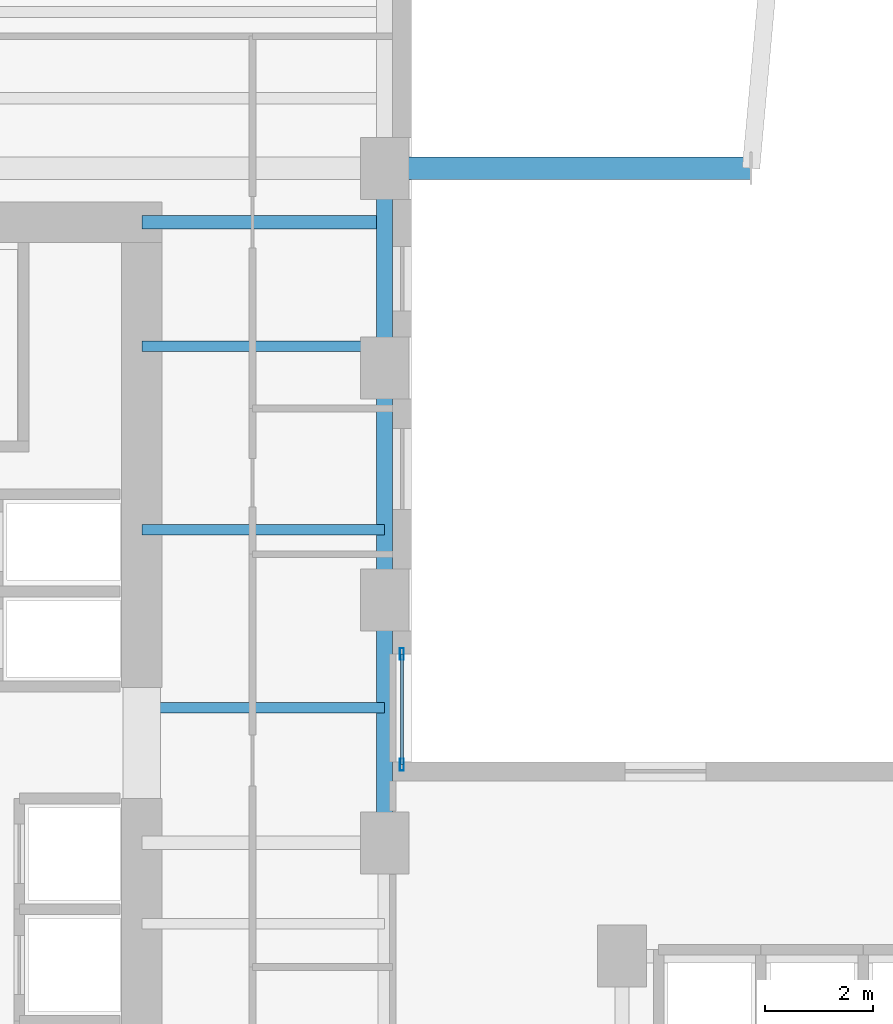
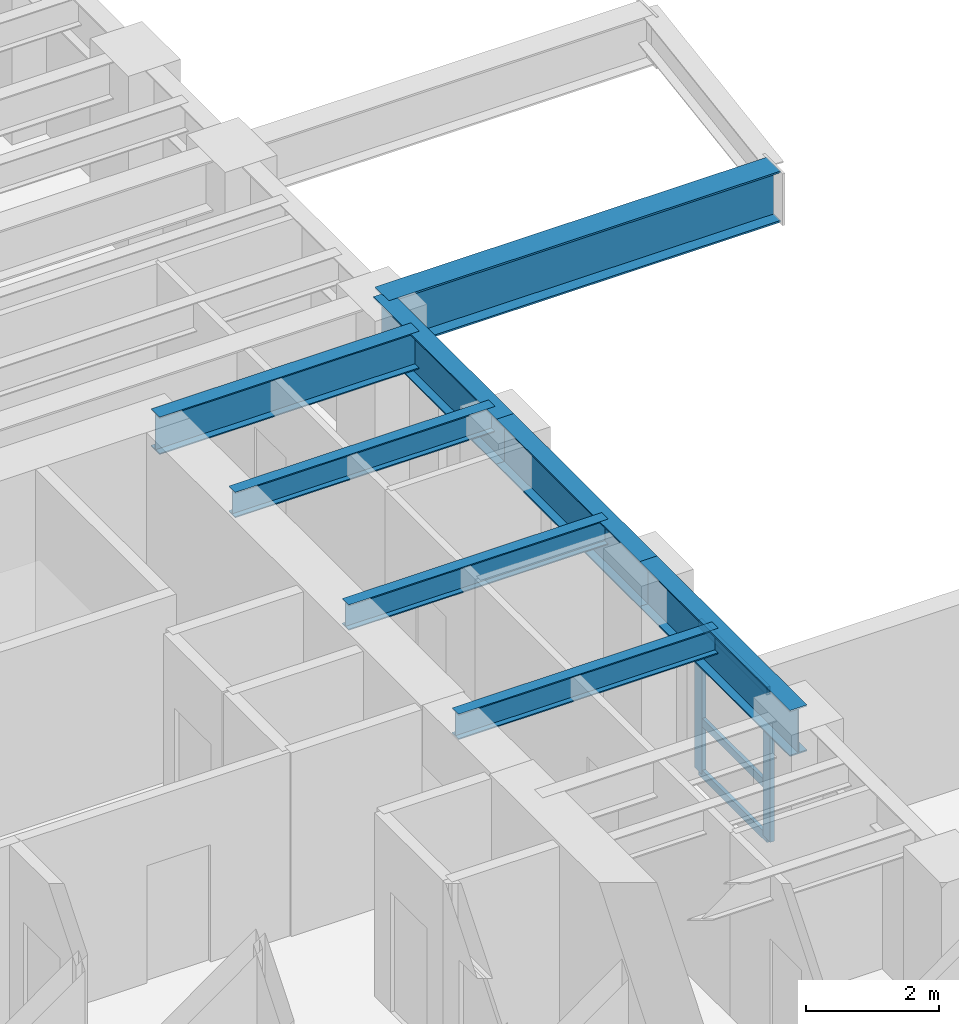
# One storey, part 2 of 14: 8 beams, 5 members, 1 element without a shape of its own.
"""IFC4 building model written with IfcOpenShell, lengths in metres."""

from ifc_helpers import new_model, si_unit, direction, frame, origin, origin_2d, place, context, subcontext, project, spatial, hollow_rectangle, i_section, extrude, source, transform, mapped, material, layer, layer_set, material_profile, profile_set, type_object, element, aggregate, save


model = new_model("IFC4")

# Units and contexts
model_context = context("Model", 3, precision=1e-05, world=origin(), true_north=direction((0.0, 1.0)))
body_context = subcontext(model_context, "Body", "Model", "MODEL_VIEW")
ifc_project = project(units=[si_unit("LENGTHUNIT", "METRE"), si_unit("AREAUNIT", "SQUARE_METRE"), si_unit("VOLUMEUNIT", "CUBIC_METRE"), si_unit("PLANEANGLEUNIT", "RADIAN"), si_unit("MASSUNIT", "GRAM", prefix="KILO")], contexts=[model_context])

# Site, building, storey
site_placement = place(None, origin())
site = spatial("IfcSite", under=ifc_project, at=site_placement, CompositionType="ELEMENT")
building_placement = place(site_placement, origin())
building = spatial("IfcBuilding", under=site, at=building_placement, Name="Kharzan Plaza Tower", CompositionType="ELEMENT")
storey_placement = place(building_placement, frame((0.0, 0.0, 124.199951171875)))
storey = spatial("IfcBuildingStorey", under=building, at=storey_placement, Name="L33", CompositionType="ELEMENT", Elevation=124.199951171875)

# Beams
ifc_material_1 = material(Name="Steel S355", Category="steel")
ifc_material_profile_1 = material_profile(ifc_material_1, i_section(OverallWidth=0.194091796875, OverallDepth=0.468994140625, WebThickness=0.011474609375, FlangeThickness=0.0205078125, at=origin_2d()), Name="W460x106")
ifc_profile_set_1 = profile_set([ifc_material_profile_1], Name="Steel S355")
beam_type_1 = type_object("IfcBeamType", Name="BM-JST460", PredefinedType="JOIST", material=ifc_profile_set_1)
shared_shape_1 = source(origin(), body_context, "Body", "SweptSolid", [
    extrude(i_section(OverallWidth=0.194091796875, OverallDepth=0.468994140625, WebThickness=0.011474609375, FlangeThickness=0.0205078125, at=origin_2d()), origin(), (0.0, 0.0, 1.0), 4.5),
])
for number, where, z_axis, x_axis, name in (
    (1, (14.5, 20.5, 3.1455078125), (1.0, 0.0, 0.0), (0.0, 1.0, 0.0), "L33 Wing A East Infill Joist 4"),
    (2, (14.5, 23.800048828125, 3.1455078125), (1.0, 0.0, 0.0), (0.0, 1.0, 0.0), "L33 Wing A East Infill Joist 5"),
    (3, (14.5, 27.199951171875, 3.1455078125), (1.0, 0.0, 0.0), (0.0, 1.0, 0.0), "L33 Wing A East Infill Joist 6"),
):
    element("IfcBeam", number, at=place(storey_placement, frame(where, z_axis=z_axis, x_axis=x_axis)), inside=storey, type_object=beam_type_1, Name=name, PredefinedType="JOIST", context=body_context, shape_type="MappedRepresentation", body=[
        mapped(shared_shape_1, transform((0.0, 0.0, 0.0), x_axis=(1.0, 0.0, 0.0), y_axis=(0.0, 1.0, 0.0), z_axis=(0.0, 0.0, 1.0))),
    ])
ifc_material_profile_2 = material_profile(ifc_material_1, i_section(OverallWidth=0.41796875, OverallDepth=0.93701171875, WebThickness=0.019287109375, FlangeThickness=0.031982421875, at=origin_2d()), Name="W920x342")
ifc_profile_set_2 = profile_set([ifc_material_profile_2], Name="Steel S355")
beam_type_2 = type_object("IfcBeamType", Name="BM-ZTG920", PredefinedType="BEAM", material=ifc_profile_set_2)
shared_shape_2 = source(origin(), body_context, "Body", "SweptSolid", [
    extrude(i_section(OverallWidth=0.41796875, OverallDepth=0.93701171875, WebThickness=0.019287109375, FlangeThickness=0.031982421875, at=origin_2d()), origin(), (0.0, 0.0, 1.0), 6.7900390625),
])
beam_1_placement = place(storey_placement, frame((19.0, 30.5, 2.91162109375), z_axis=(1.0, 0.0, 0.0), x_axis=(0.0, 1.0, 0.0)))
element("IfcBeam", 4, at=beam_1_placement, inside=storey, type_object=beam_type_2, Name="L33 Sky-Terrace Cantilever Girder ZTG1 (L34 G1)", PredefinedType="BEAM", context=body_context, shape_type="MappedRepresentation", body=[
    mapped(shared_shape_2, transform((0.0, 0.0, 0.0), x_axis=(1.0, 0.0, 0.0), y_axis=(0.0, 1.0, 0.0), z_axis=(0.0, 0.0, 1.0))),
])

# Curtain wall, members
ifc_material_2 = material(Name="Unitised Bronze-Anodized Aluminium and Low-E Glass", Category="aluminium")
ifc_layer = layer(ifc_material_2, 0.199951171875)
ifc_layer_set = layer_set([ifc_layer], Name="Unitised Bronze-Anodized Aluminium and Low-E Glass")
curtain_wall_type = type_object("IfcCurtainWallType", Name="CW-SLOT-3", PredefinedType="NOTDEFINED", material=ifc_layer_set)
curtain_wall_placement = place(storey_placement, origin())
curtain_wall = element("IfcCurtainWall", 5, at=curtain_wall_placement, inside=storey, type_object=curtain_wall_type, Name="L33 West Slot Recessed Spine Curtain Wall", PredefinedType="NOTDEFINED")
ifc_material_3 = material(Name="Anodized Bronze Aluminium", Category="aluminium")
ifc_material_profile_3 = material_profile(ifc_material_3, hollow_rectangle(XDim=0.074951171875, YDim=0.219970703125, WallThickness=0.00390625, at=origin_2d()), Name="ALU-M220x75x4")
ifc_profile_set_3 = profile_set([ifc_material_profile_3], Name="Anodized Bronze Aluminium")
member_type_1 = type_object("IfcMemberType", Name="MEM-CW-MUL200", PredefinedType="MULLION", material=ifc_profile_set_3)
shared_shape_3 = source(origin(), body_context, "Body", "SweptSolid", [
    extrude(hollow_rectangle(XDim=0.074951171875, YDim=0.219970703125, WallThickness=0.00390625, at=origin_2d()), origin(), (0.0, 0.0, 1.0), 2.699951171875),
])
member_1_placement = place(storey_placement, frame((19.320068359375, 19.449951171875, 0.0), z_axis=(0.0, 0.0, 1.0), x_axis=(1.0, 0.0, 0.0)))
member_1 = element("IfcMember", 6, at=member_1_placement, type_object=member_type_1, Name="L33 Curtain-Wall Mullion 00", PredefinedType="MULLION", context=body_context, shape_type="MappedRepresentation", body=[
    mapped(shared_shape_3, transform((0.0, 0.0, 0.0), x_axis=(1.0, 0.0, 0.0), y_axis=(0.0, 1.0, 0.0), z_axis=(0.0, 0.0, 1.0))),
])
member_2_placement = place(storey_placement, frame((19.320068359375, 21.5, 0.0), z_axis=(0.0, 0.0, 1.0), x_axis=(1.0, 0.0, 0.0)))
member_2 = element("IfcMember", 7, at=member_2_placement, type_object=member_type_1, Name="L33 Curtain-Wall Mullion 01", PredefinedType="MULLION", context=body_context, shape_type="MappedRepresentation", body=[
    mapped(shared_shape_3, transform((0.0, 0.0, 0.0), x_axis=(1.0, 0.0, 0.0), y_axis=(0.0, 1.0, 0.0), z_axis=(0.0, 0.0, 1.0))),
])
ifc_material_profile_4 = material_profile(ifc_material_3, hollow_rectangle(XDim=0.06005859375, YDim=0.14990234375, WallThickness=0.00341796875, at=origin_2d()), Name="ALU-T150x60x3.5")
ifc_profile_set_4 = profile_set([ifc_material_profile_4], Name="Anodized Bronze Aluminium")
member_type_2 = type_object("IfcMemberType", Name="MEM-CW-TRN150", PredefinedType="USERDEFINED", material=ifc_profile_set_4)
shared_shape_4 = source(origin(), body_context, "Body", "SweptSolid", [
    extrude(hollow_rectangle(XDim=0.06005859375, YDim=0.14990234375, WallThickness=0.00341796875, at=origin_2d()), origin(), (0.0, 0.0, 1.0), 2.050048828125),
])
member_3_placement = place(storey_placement, frame((19.320068359375, 19.449951171875, 0.0), z_axis=(0.0, 1.0, 0.0), x_axis=(-1.0, 0.0, 0.0)))
member_3 = element("IfcMember", 8, at=member_3_placement, type_object=member_type_2, Name="L33 Curtain-Wall Transom 1", ObjectType="TRANSOM", PredefinedType="USERDEFINED", context=body_context, shape_type="MappedRepresentation", body=[
    mapped(shared_shape_4, transform((0.0, 0.0, 0.0), x_axis=(1.0, 0.0, 0.0), y_axis=(0.0, 1.0, 0.0), z_axis=(0.0, 0.0, 1.0))),
])
member_4_placement = place(storey_placement, frame((19.320068359375, 19.449951171875, 0.949951171875), z_axis=(0.0, 1.0, 0.0), x_axis=(-1.0, 0.0, 0.0)))
member_4 = element("IfcMember", 9, at=member_4_placement, type_object=member_type_2, Name="L33 Curtain-Wall Transom 2", ObjectType="TRANSOM", PredefinedType="USERDEFINED", context=body_context, shape_type="MappedRepresentation", body=[
    mapped(shared_shape_4, transform((0.0, 0.0, 0.0), x_axis=(1.0, 0.0, 0.0), y_axis=(0.0, 1.0, 0.0), z_axis=(0.0, 0.0, 1.0))),
])
member_5_placement = place(storey_placement, frame((19.320068359375, 19.449951171875, 2.699951171875), z_axis=(0.0, 1.0, 0.0), x_axis=(-1.0, 0.0, 0.0)))
member_5 = element("IfcMember", 10, at=member_5_placement, type_object=member_type_2, Name="L33 Curtain-Wall Transom 3", ObjectType="TRANSOM", PredefinedType="USERDEFINED", context=body_context, shape_type="MappedRepresentation", body=[
    mapped(shared_shape_4, transform((0.0, 0.0, 0.0), x_axis=(1.0, 0.0, 0.0), y_axis=(0.0, 1.0, 0.0), z_axis=(0.0, 0.0, 1.0))),
])
aggregate(curtain_wall, [member_1, member_2, member_3, member_4, member_5])

# Beams
ifc_material_profile_5 = material_profile(ifc_material_1, i_section(OverallWidth=0.25390625, OverallDepth=0.68798828125, WebThickness=0.01318359375, FlangeThickness=0.02099609375, at=origin_2d()), Name="W690x152")
ifc_profile_set_5 = profile_set([ifc_material_profile_5], Name="Steel S355")
beam_type_3 = type_object("IfcBeamType", Name="BM-FG690B", PredefinedType="BEAM", material=ifc_profile_set_5)
shared_shape_5 = source(origin(), body_context, "Body", "SweptSolid", [
    extrude(i_section(OverallWidth=0.25390625, OverallDepth=0.68798828125, WebThickness=0.01318359375, FlangeThickness=0.02099609375, at=origin_2d()), origin(), (0.0, 0.0, 1.0), 4.5),
])
beam_2_placement = place(storey_placement, frame((14.5, 29.5, 3.0361328125), z_axis=(1.0, 0.0, 0.0), x_axis=(0.0, 1.0, 0.0)))
element("IfcBeam", 11, at=beam_2_placement, inside=storey, type_object=beam_type_3, Name="L33 Core-A East Floor Girder 3", PredefinedType="BEAM", context=body_context, shape_type="MappedRepresentation", body=[
    mapped(shared_shape_5, transform((0.0, 0.0, 0.0), x_axis=(1.0, 0.0, 0.0), y_axis=(0.0, 1.0, 0.0), z_axis=(0.0, 0.0, 1.0))),
])
ifc_material_profile_6 = material_profile(ifc_material_1, i_section(OverallWidth=0.299072265625, OverallDepth=0.845947265625, WebThickness=0.015380859375, FlangeThickness=0.0244140625, at=origin_2d()), Name="W840x210")
ifc_profile_set_6 = profile_set([ifc_material_profile_6], Name="Steel S355")
beam_type_4 = type_object("IfcBeamType", Name="BM-SP840B", PredefinedType="SPANDREL", material=ifc_profile_set_6)
shared_shape_6 = source(origin(), body_context, "Body", "SweptSolid", [
    extrude(i_section(OverallWidth=0.299072265625, OverallDepth=0.845947265625, WebThickness=0.015380859375, FlangeThickness=0.0244140625, at=origin_2d()), origin(), (0.0, 0.0, 1.0), 4.5),
])
beam_3_placement = place(storey_placement, frame((19.0, 18.0, 2.95703125), z_axis=(0.0, 1.0, 0.0), x_axis=(-1.0, 0.0, 0.0)))
element("IfcBeam", 12, at=beam_3_placement, inside=storey, type_object=beam_type_4, Name="L33 Perimeter Tube Spandrel", PredefinedType="SPANDREL", context=body_context, shape_type="MappedRepresentation", body=[
    mapped(shared_shape_6, transform((0.0, 0.0, 0.0), x_axis=(1.0, 0.0, 0.0), y_axis=(0.0, 1.0, 0.0), z_axis=(0.0, 0.0, 1.0))),
])
shared_shape_7 = source(origin(), body_context, "Body", "SweptSolid", [
    extrude(i_section(OverallWidth=0.299072265625, OverallDepth=0.845947265625, WebThickness=0.015380859375, FlangeThickness=0.0244140625, at=origin_2d()), origin(), (0.0, 0.0, 1.0), 4.300048828125),
])
beam_4_placement = place(storey_placement, frame((19.0, 22.5, 2.95703125), z_axis=(0.0, 1.0, 0.0), x_axis=(-1.0, 0.0, 0.0)))
element("IfcBeam", 13, at=beam_4_placement, inside=storey, type_object=beam_type_4, Name="L33 Perimeter Tube Spandrel", PredefinedType="SPANDREL", context=body_context, shape_type="MappedRepresentation", body=[
    mapped(shared_shape_7, transform((0.0, 0.0, 0.0), x_axis=(1.0, 0.0, 0.0), y_axis=(0.0, 1.0, 0.0), z_axis=(0.0, 0.0, 1.0))),
])
shared_shape_8 = source(origin(), body_context, "Body", "SweptSolid", [
    extrude(i_section(OverallWidth=0.299072265625, OverallDepth=0.845947265625, WebThickness=0.015380859375, FlangeThickness=0.0244140625, at=origin_2d()), origin(), (0.0, 0.0, 1.0), 3.699951171875),
])
beam_5_placement = place(storey_placement, frame((19.0, 26.800048828125, 2.95703125), z_axis=(0.0, 1.0, 0.0), x_axis=(-1.0, 0.0, 0.0)))
element("IfcBeam", 14, at=beam_5_placement, inside=storey, type_object=beam_type_4, Name="L33 Perimeter Tube Spandrel", PredefinedType="SPANDREL", context=body_context, shape_type="MappedRepresentation", body=[
    mapped(shared_shape_8, transform((0.0, 0.0, 0.0), x_axis=(1.0, 0.0, 0.0), y_axis=(0.0, 1.0, 0.0), z_axis=(0.0, 0.0, 1.0))),
])

save(model, "model.ifc")
